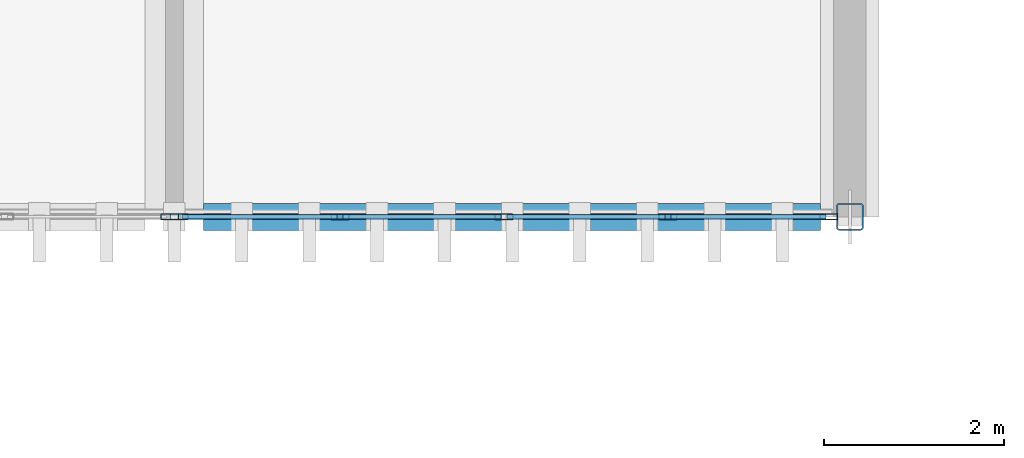
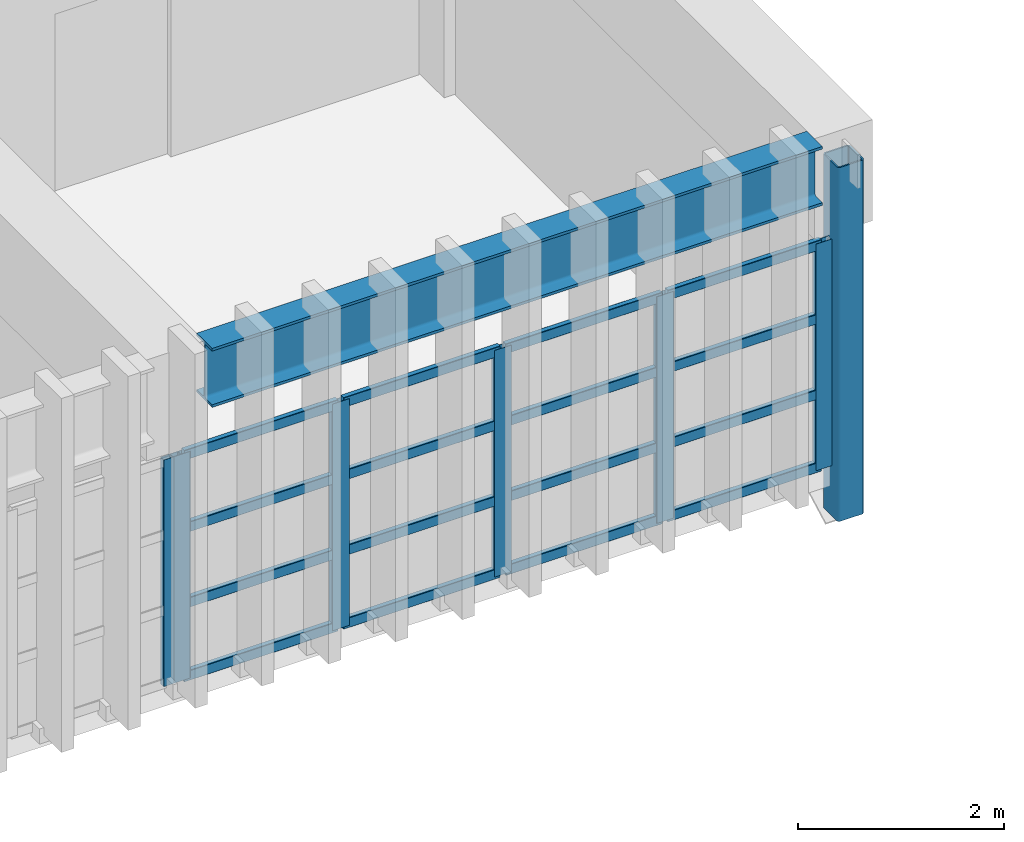
# One storey, part 34 of 124: 23 members, 1 beam, 2 elements without a shape of their own.
"""IFC4 building model written with IfcOpenShell, lengths in metres."""

from ifc_helpers import new_model, si_unit, direction, frame, origin, origin_2d, place, context, subcontext, project, spatial, hollow_rectangle, i_section, extrude, material, material_profile, profile_set, type_object, element, aggregate, save


model = new_model("IFC4")

# Units and contexts
model_context = context("Model", 3, precision=1e-05, world=origin(), true_north=direction((0.0, 1.0)))
body_context = subcontext(model_context, "Body", "Model", "MODEL_VIEW")
ifc_project = project(units=[si_unit("LENGTHUNIT", "METRE"), si_unit("AREAUNIT", "SQUARE_METRE"), si_unit("VOLUMEUNIT", "CUBIC_METRE"), si_unit("PLANEANGLEUNIT", "RADIAN"), si_unit("MASSUNIT", "GRAM", prefix="KILO")], contexts=[model_context])

# Site, building, storey
site_placement = place(None, origin())
site = spatial("IfcSite", under=ifc_project, at=site_placement, CompositionType="ELEMENT")
building_placement = place(site_placement, origin())
building = spatial("IfcBuilding", under=site, at=building_placement, Name="Qasida Concert Hall", CompositionType="ELEMENT")
storey_placement = place(building_placement, frame((0.0, 0.0, 9.0)))
storey = spatial("IfcBuildingStorey", under=building, at=storey_placement, Name="L02", CompositionType="ELEMENT", Elevation=9.0)

# Beam
ifc_material_1 = material(Name="Steel S355J2", Category="steel")
ifc_material_profile_1 = material_profile(ifc_material_1, i_section(OverallWidth=0.300048828125, OverallDepth=0.699951171875, WebThickness=0.01708984375, FlangeThickness=0.031982421875, FilletRadius=0.027099609375, at=origin_2d()), Name="HEB 700")
ifc_profile_set_1 = profile_set([ifc_material_profile_1], Name="Steel S355J2")
beam_type = type_object("IfcBeamType", Name="BM-B7", PredefinedType="BEAM", material=ifc_profile_set_1)
beam_placement = place(storey_placement, frame((97.824951171875, 14.699951171875, 3.570068359375), z_axis=(1.0, 0.0, 0.0), x_axis=(0.0, 1.0, 0.0)))
element("IfcBeam", 1, at=beam_placement, inside=storey, type_object=beam_type, Name="Front overhang fascia beam 014", PredefinedType="BEAM", context=body_context, shape_type="SweptSolid", body=[
    extrude(i_section(OverallWidth=0.300048828125, OverallDepth=0.699951171875, WebThickness=0.01708984375, FlangeThickness=0.031982421875, FilletRadius=0.027099609375, at=origin_2d()), origin(), (0.0, 0.0, 1.0), 6.85009765625),
])

# Curtain wall, member
ifc_material_2 = material(Name="Architectural bronze-anodized aluminium and low-E glass", Category="aluminium")
curtain_wall_type = type_object("IfcCurtainWallType", Name="CW-03", PredefinedType="NOTDEFINED", material=ifc_material_2)
curtain_wall_1_placement = place(storey_placement, origin())
curtain_wall_1 = element("IfcCurtainWall", 2, at=curtain_wall_1_placement, inside=storey, type_object=curtain_wall_type, Name="L02 curtain wall CW-03 0013", PredefinedType="NOTDEFINED")
ifc_material_3 = material(Name="Architectural bronze-anodized aluminium EN AW-6063", Category="aluminium")
ifc_material_profile_2 = material_profile(ifc_material_3, hollow_rectangle(XDim=0.06494140625, YDim=0.199951171875, WallThickness=0.0048828125, InnerFilletRadius=0.0048828125, OuterFilletRadius=0.010009765625, at=origin_2d()), Name="CWM 200x65x5")
ifc_profile_set_2 = profile_set([ifc_material_profile_2], Name="Architectural bronze-anodized aluminium EN AW-6063")
member_type_1 = type_object("IfcMemberType", Name="MB-CWM-2", PredefinedType="MULLION", material=ifc_profile_set_2)
member_1_placement = place(storey_placement, frame((97.447509765625, 14.699951171875, 0.0), z_axis=(0.0, 0.0, 1.0), x_axis=(0.0, 1.0, 0.0)))
member_1 = element("IfcMember", 3, at=member_1_placement, type_object=member_type_1, Name="CW-03 mullion 5", PredefinedType="MULLION", context=body_context, shape_type="SweptSolid", body=[
    extrude(hollow_rectangle(XDim=0.06494140625, YDim=0.199951171875, WallThickness=0.0048828125, InnerFilletRadius=0.0048828125, OuterFilletRadius=0.010009765625, at=origin_2d()), origin(), (0.0, 0.0, 1.0), 2.68994140625),
])
aggregate(curtain_wall_1, [member_1])

# Curtain wall, members
curtain_wall_2_placement = place(storey_placement, origin())
curtain_wall_2 = element("IfcCurtainWall", 4, at=curtain_wall_2_placement, inside=storey, type_object=curtain_wall_type, Name="L02 curtain wall CW-03 0014", PredefinedType="NOTDEFINED")
member_2_placement = place(storey_placement, frame((97.552490234375, 14.699951171875, 0.0), z_axis=(0.0, 0.0, 1.0), x_axis=(0.0, 1.0, 0.0)))
member_2 = element("IfcMember", 5, at=member_2_placement, type_object=member_type_1, Name="CW-03 mullion 1", PredefinedType="MULLION", context=body_context, shape_type="SweptSolid", body=[
    extrude(hollow_rectangle(XDim=0.06494140625, YDim=0.199951171875, WallThickness=0.0048828125, InnerFilletRadius=0.0048828125, OuterFilletRadius=0.010009765625, at=origin_2d()), origin(), (0.0, 0.0, 1.0), 2.68994140625),
])
member_3_placement = place(storey_placement, frame((99.340087890625, 14.699951171875, 0.0), z_axis=(0.0, 0.0, 1.0), x_axis=(0.0, 1.0, 0.0)))
member_3 = element("IfcMember", 6, at=member_3_placement, type_object=member_type_1, Name="CW-03 mullion 2", PredefinedType="MULLION", context=body_context, shape_type="SweptSolid", body=[
    extrude(hollow_rectangle(XDim=0.06494140625, YDim=0.199951171875, WallThickness=0.0048828125, InnerFilletRadius=0.0048828125, OuterFilletRadius=0.010009765625, at=origin_2d()), origin(), (0.0, 0.0, 1.0), 2.68994140625),
])
member_4_placement = place(storey_placement, frame((101.159912109375, 14.699951171875, 0.0), z_axis=(0.0, 0.0, 1.0), x_axis=(0.0, 1.0, 0.0)))
member_4 = element("IfcMember", 7, at=member_4_placement, type_object=member_type_1, Name="CW-03 mullion 3", PredefinedType="MULLION", context=body_context, shape_type="SweptSolid", body=[
    extrude(hollow_rectangle(XDim=0.06494140625, YDim=0.199951171875, WallThickness=0.0048828125, InnerFilletRadius=0.0048828125, OuterFilletRadius=0.010009765625, at=origin_2d()), origin(), (0.0, 0.0, 1.0), 2.68994140625),
])
member_5_placement = place(storey_placement, frame((102.97998046875, 14.699951171875, 0.0), z_axis=(0.0, 0.0, 1.0), x_axis=(0.0, 1.0, 0.0)))
member_5 = element("IfcMember", 8, at=member_5_placement, type_object=member_type_1, Name="CW-03 mullion 4", PredefinedType="MULLION", context=body_context, shape_type="SweptSolid", body=[
    extrude(hollow_rectangle(XDim=0.06494140625, YDim=0.199951171875, WallThickness=0.0048828125, InnerFilletRadius=0.0048828125, OuterFilletRadius=0.010009765625, at=origin_2d()), origin(), (0.0, 0.0, 1.0), 2.68994140625),
])
member_6_placement = place(storey_placement, frame((104.767578125, 14.699951171875, 0.0), z_axis=(0.0, 0.0, 1.0), x_axis=(0.0, 1.0, 0.0)))
member_6 = element("IfcMember", 9, at=member_6_placement, type_object=member_type_1, Name="CW-03 mullion 5", PredefinedType="MULLION", context=body_context, shape_type="SweptSolid", body=[
    extrude(hollow_rectangle(XDim=0.06494140625, YDim=0.199951171875, WallThickness=0.0048828125, InnerFilletRadius=0.0048828125, OuterFilletRadius=0.010009765625, at=origin_2d()), origin(), (0.0, 0.0, 1.0), 2.68994140625),
])
ifc_material_profile_3 = material_profile(ifc_material_3, hollow_rectangle(XDim=0.06005859375, YDim=0.1201171875, WallThickness=0.00390625, InnerFilletRadius=0.00390625, OuterFilletRadius=0.008056640625, at=origin_2d()), Name="CWT 120x60x4")
ifc_profile_set_3 = profile_set([ifc_material_profile_3], Name="Architectural bronze-anodized aluminium EN AW-6063")
member_type_2 = type_object("IfcMemberType", Name="MB-CWT-2", PredefinedType="USERDEFINED", material=ifc_profile_set_3)
member_7_placement = place(storey_placement, frame((97.5849609375, 14.699951171875, 0.030029296875), z_axis=(1.0, 0.0, 0.0), x_axis=(0.0, 1.0, 0.0)))
member_7 = element("IfcMember", 10, at=member_7_placement, type_object=member_type_2, Name="CW-03 transom 1.1", ObjectType="TRANSOM", PredefinedType="USERDEFINED", context=body_context, shape_type="SweptSolid", body=[
    extrude(hollow_rectangle(XDim=0.06005859375, YDim=0.1201171875, WallThickness=0.00390625, InnerFilletRadius=0.00390625, OuterFilletRadius=0.008056640625, at=origin_2d()), origin(), (0.0, 0.0, 1.0), 1.72265625),
])
member_8_placement = place(storey_placement, frame((97.5849609375, 14.699951171875, 0.896728515625), z_axis=(1.0, 0.0, 0.0), x_axis=(0.0, 1.0, 0.0)))
member_8 = element("IfcMember", 11, at=member_8_placement, type_object=member_type_2, Name="CW-03 transom 1.2", ObjectType="TRANSOM", PredefinedType="USERDEFINED", context=body_context, shape_type="SweptSolid", body=[
    extrude(hollow_rectangle(XDim=0.06005859375, YDim=0.1201171875, WallThickness=0.00390625, InnerFilletRadius=0.00390625, OuterFilletRadius=0.008056640625, at=origin_2d()), origin(), (0.0, 0.0, 1.0), 1.72265625),
])
member_9_placement = place(storey_placement, frame((97.5849609375, 14.699951171875, 1.793212890625), z_axis=(1.0, 0.0, 0.0), x_axis=(0.0, 1.0, 0.0)))
member_9 = element("IfcMember", 12, at=member_9_placement, type_object=member_type_2, Name="CW-03 transom 1.3", ObjectType="TRANSOM", PredefinedType="USERDEFINED", context=body_context, shape_type="SweptSolid", body=[
    extrude(hollow_rectangle(XDim=0.06005859375, YDim=0.1201171875, WallThickness=0.00390625, InnerFilletRadius=0.00390625, OuterFilletRadius=0.008056640625, at=origin_2d()), origin(), (0.0, 0.0, 1.0), 1.72265625),
])
member_10_placement = place(storey_placement, frame((97.5849609375, 14.699951171875, 2.659912109375), z_axis=(1.0, 0.0, 0.0), x_axis=(0.0, 1.0, 0.0)))
member_10 = element("IfcMember", 13, at=member_10_placement, type_object=member_type_2, Name="CW-03 transom 1.4", ObjectType="TRANSOM", PredefinedType="USERDEFINED", context=body_context, shape_type="SweptSolid", body=[
    extrude(hollow_rectangle(XDim=0.06005859375, YDim=0.1201171875, WallThickness=0.00390625, InnerFilletRadius=0.00390625, OuterFilletRadius=0.008056640625, at=origin_2d()), origin(), (0.0, 0.0, 1.0), 1.72265625),
])
member_11_placement = place(storey_placement, frame((99.37255859375, 14.699951171875, 0.030029296875), z_axis=(1.0, 0.0, 0.0), x_axis=(0.0, 1.0, 0.0)))
member_11 = element("IfcMember", 14, at=member_11_placement, type_object=member_type_2, Name="CW-03 transom 2.1", ObjectType="TRANSOM", PredefinedType="USERDEFINED", context=body_context, shape_type="SweptSolid", body=[
    extrude(hollow_rectangle(XDim=0.06005859375, YDim=0.1201171875, WallThickness=0.00390625, InnerFilletRadius=0.00390625, OuterFilletRadius=0.008056640625, at=origin_2d()), origin(), (0.0, 0.0, 1.0), 1.7548828125),
])
member_12_placement = place(storey_placement, frame((99.37255859375, 14.699951171875, 0.896728515625), z_axis=(1.0, 0.0, 0.0), x_axis=(0.0, 1.0, 0.0)))
member_12 = element("IfcMember", 15, at=member_12_placement, type_object=member_type_2, Name="CW-03 transom 2.2", ObjectType="TRANSOM", PredefinedType="USERDEFINED", context=body_context, shape_type="SweptSolid", body=[
    extrude(hollow_rectangle(XDim=0.06005859375, YDim=0.1201171875, WallThickness=0.00390625, InnerFilletRadius=0.00390625, OuterFilletRadius=0.008056640625, at=origin_2d()), origin(), (0.0, 0.0, 1.0), 1.7548828125),
])
member_13_placement = place(storey_placement, frame((99.37255859375, 14.699951171875, 1.793212890625), z_axis=(1.0, 0.0, 0.0), x_axis=(0.0, 1.0, 0.0)))
member_13 = element("IfcMember", 16, at=member_13_placement, type_object=member_type_2, Name="CW-03 transom 2.3", ObjectType="TRANSOM", PredefinedType="USERDEFINED", context=body_context, shape_type="SweptSolid", body=[
    extrude(hollow_rectangle(XDim=0.06005859375, YDim=0.1201171875, WallThickness=0.00390625, InnerFilletRadius=0.00390625, OuterFilletRadius=0.008056640625, at=origin_2d()), origin(), (0.0, 0.0, 1.0), 1.7548828125),
])
member_14_placement = place(storey_placement, frame((99.37255859375, 14.699951171875, 2.659912109375), z_axis=(1.0, 0.0, 0.0), x_axis=(0.0, 1.0, 0.0)))
member_14 = element("IfcMember", 17, at=member_14_placement, type_object=member_type_2, Name="CW-03 transom 2.4", ObjectType="TRANSOM", PredefinedType="USERDEFINED", context=body_context, shape_type="SweptSolid", body=[
    extrude(hollow_rectangle(XDim=0.06005859375, YDim=0.1201171875, WallThickness=0.00390625, InnerFilletRadius=0.00390625, OuterFilletRadius=0.008056640625, at=origin_2d()), origin(), (0.0, 0.0, 1.0), 1.7548828125),
])
member_15_placement = place(storey_placement, frame((101.1923828125, 14.699951171875, 0.030029296875), z_axis=(1.0, 0.0, 0.0), x_axis=(0.0, 1.0, 0.0)))
member_15 = element("IfcMember", 18, at=member_15_placement, type_object=member_type_2, Name="CW-03 transom 3.1", ObjectType="TRANSOM", PredefinedType="USERDEFINED", context=body_context, shape_type="SweptSolid", body=[
    extrude(hollow_rectangle(XDim=0.06005859375, YDim=0.1201171875, WallThickness=0.00390625, InnerFilletRadius=0.00390625, OuterFilletRadius=0.008056640625, at=origin_2d()), origin(), (0.0, 0.0, 1.0), 1.755126953125),
])
member_16_placement = place(storey_placement, frame((101.1923828125, 14.699951171875, 0.896728515625), z_axis=(1.0, 0.0, 0.0), x_axis=(0.0, 1.0, 0.0)))
member_16 = element("IfcMember", 19, at=member_16_placement, type_object=member_type_2, Name="CW-03 transom 3.2", ObjectType="TRANSOM", PredefinedType="USERDEFINED", context=body_context, shape_type="SweptSolid", body=[
    extrude(hollow_rectangle(XDim=0.06005859375, YDim=0.1201171875, WallThickness=0.00390625, InnerFilletRadius=0.00390625, OuterFilletRadius=0.008056640625, at=origin_2d()), origin(), (0.0, 0.0, 1.0), 1.755126953125),
])
member_17_placement = place(storey_placement, frame((101.1923828125, 14.699951171875, 1.793212890625), z_axis=(1.0, 0.0, 0.0), x_axis=(0.0, 1.0, 0.0)))
member_17 = element("IfcMember", 20, at=member_17_placement, type_object=member_type_2, Name="CW-03 transom 3.3", ObjectType="TRANSOM", PredefinedType="USERDEFINED", context=body_context, shape_type="SweptSolid", body=[
    extrude(hollow_rectangle(XDim=0.06005859375, YDim=0.1201171875, WallThickness=0.00390625, InnerFilletRadius=0.00390625, OuterFilletRadius=0.008056640625, at=origin_2d()), origin(), (0.0, 0.0, 1.0), 1.755126953125),
])
member_18_placement = place(storey_placement, frame((101.1923828125, 14.699951171875, 2.659912109375), z_axis=(1.0, 0.0, 0.0), x_axis=(0.0, 1.0, 0.0)))
member_18 = element("IfcMember", 21, at=member_18_placement, type_object=member_type_2, Name="CW-03 transom 3.4", ObjectType="TRANSOM", PredefinedType="USERDEFINED", context=body_context, shape_type="SweptSolid", body=[
    extrude(hollow_rectangle(XDim=0.06005859375, YDim=0.1201171875, WallThickness=0.00390625, InnerFilletRadius=0.00390625, OuterFilletRadius=0.008056640625, at=origin_2d()), origin(), (0.0, 0.0, 1.0), 1.755126953125),
])
member_19_placement = place(storey_placement, frame((103.012451171875, 14.699951171875, 0.030029296875), z_axis=(1.0, 0.0, 0.0), x_axis=(0.0, 1.0, 0.0)))
member_19 = element("IfcMember", 22, at=member_19_placement, type_object=member_type_2, Name="CW-03 transom 4.1", ObjectType="TRANSOM", PredefinedType="USERDEFINED", context=body_context, shape_type="SweptSolid", body=[
    extrude(hollow_rectangle(XDim=0.06005859375, YDim=0.1201171875, WallThickness=0.00390625, InnerFilletRadius=0.00390625, OuterFilletRadius=0.008056640625, at=origin_2d()), origin(), (0.0, 0.0, 1.0), 1.72265625),
])
member_20_placement = place(storey_placement, frame((103.012451171875, 14.699951171875, 0.896728515625), z_axis=(1.0, 0.0, 0.0), x_axis=(0.0, 1.0, 0.0)))
member_20 = element("IfcMember", 23, at=member_20_placement, type_object=member_type_2, Name="CW-03 transom 4.2", ObjectType="TRANSOM", PredefinedType="USERDEFINED", context=body_context, shape_type="SweptSolid", body=[
    extrude(hollow_rectangle(XDim=0.06005859375, YDim=0.1201171875, WallThickness=0.00390625, InnerFilletRadius=0.00390625, OuterFilletRadius=0.008056640625, at=origin_2d()), origin(), (0.0, 0.0, 1.0), 1.72265625),
])
member_21_placement = place(storey_placement, frame((103.012451171875, 14.699951171875, 1.793212890625), z_axis=(1.0, 0.0, 0.0), x_axis=(0.0, 1.0, 0.0)))
member_21 = element("IfcMember", 24, at=member_21_placement, type_object=member_type_2, Name="CW-03 transom 4.3", ObjectType="TRANSOM", PredefinedType="USERDEFINED", context=body_context, shape_type="SweptSolid", body=[
    extrude(hollow_rectangle(XDim=0.06005859375, YDim=0.1201171875, WallThickness=0.00390625, InnerFilletRadius=0.00390625, OuterFilletRadius=0.008056640625, at=origin_2d()), origin(), (0.0, 0.0, 1.0), 1.72265625),
])
member_22_placement = place(storey_placement, frame((103.012451171875, 14.699951171875, 2.659912109375), z_axis=(1.0, 0.0, 0.0), x_axis=(0.0, 1.0, 0.0)))
member_22 = element("IfcMember", 25, at=member_22_placement, type_object=member_type_2, Name="CW-03 transom 4.4", ObjectType="TRANSOM", PredefinedType="USERDEFINED", context=body_context, shape_type="SweptSolid", body=[
    extrude(hollow_rectangle(XDim=0.06005859375, YDim=0.1201171875, WallThickness=0.00390625, InnerFilletRadius=0.00390625, OuterFilletRadius=0.008056640625, at=origin_2d()), origin(), (0.0, 0.0, 1.0), 1.72265625),
])
aggregate(curtain_wall_2, [member_2, member_3, member_4, member_5, member_6, member_7, member_8, member_9, member_10, member_11, member_12, member_13, member_14, member_15, member_16, member_17, member_18, member_19, member_20, member_21, member_22])

# Member
ifc_material_profile_4 = material_profile(ifc_material_1, hollow_rectangle(XDim=0.300048828125, YDim=0.300048828125, WallThickness=0.01611328125, InnerFilletRadius=0.01611328125, OuterFilletRadius=0.031982421875, at=origin_2d()), Name="SHS 300x300x16")
ifc_profile_set_4 = profile_set([ifc_material_profile_4], Name="Steel S355J2")
member_type_3 = type_object("IfcMemberType", Name="MB-ST4", PredefinedType="STRUT", material=ifc_profile_set_4)
member_23_placement = place(storey_placement, frame((105.0, 14.699951171875, -0.60009765625), z_axis=(0.0, 0.0, 1.0), x_axis=(1.0, 0.0, 0.0)))
element("IfcMember", 26, at=member_23_placement, inside=storey, type_object=member_type_3, Name="Wall truss post WT-E-020", PredefinedType="STRUT", context=body_context, shape_type="SweptSolid", body=[
    extrude(hollow_rectangle(XDim=0.300048828125, YDim=0.300048828125, WallThickness=0.01611328125, InnerFilletRadius=0.01611328125, OuterFilletRadius=0.031982421875, at=origin_2d()), origin(), (0.0, 0.0, 1.0), 4.2001953125),
])

save(model, "model.ifc")
